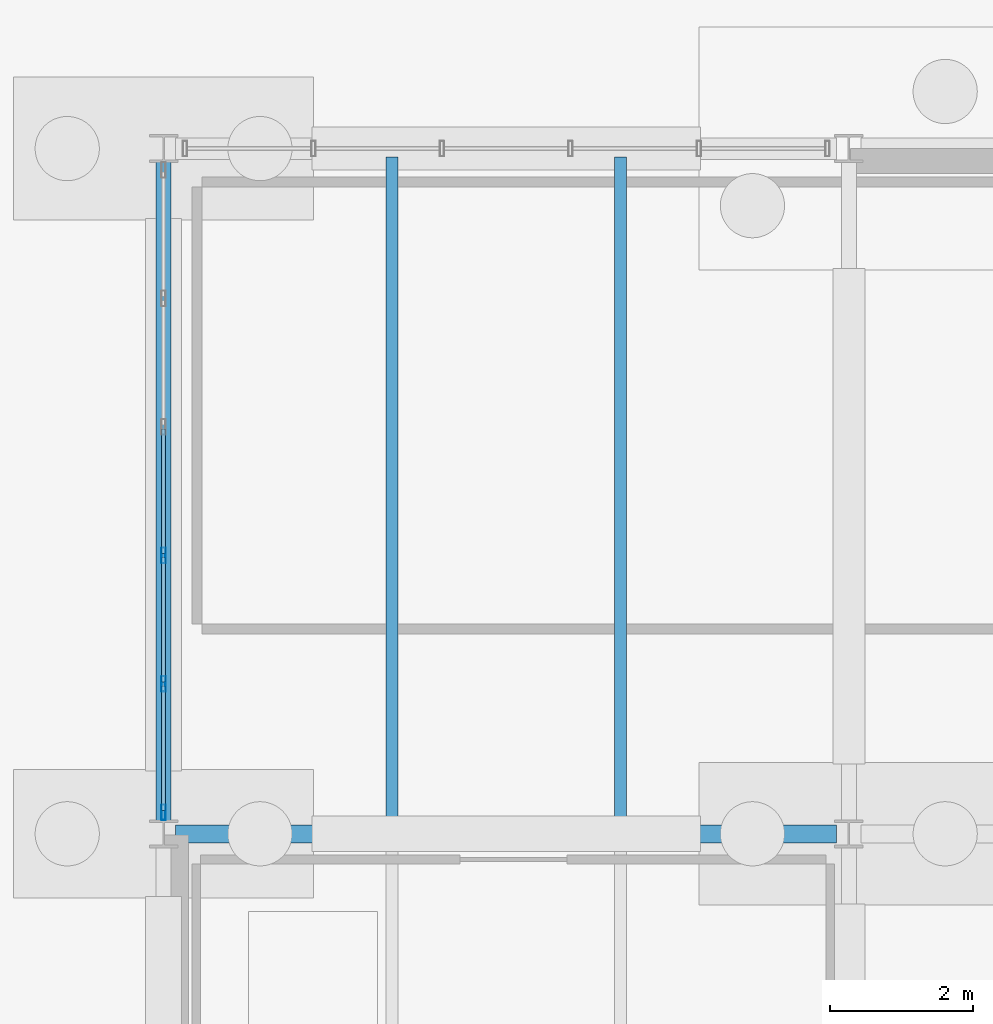
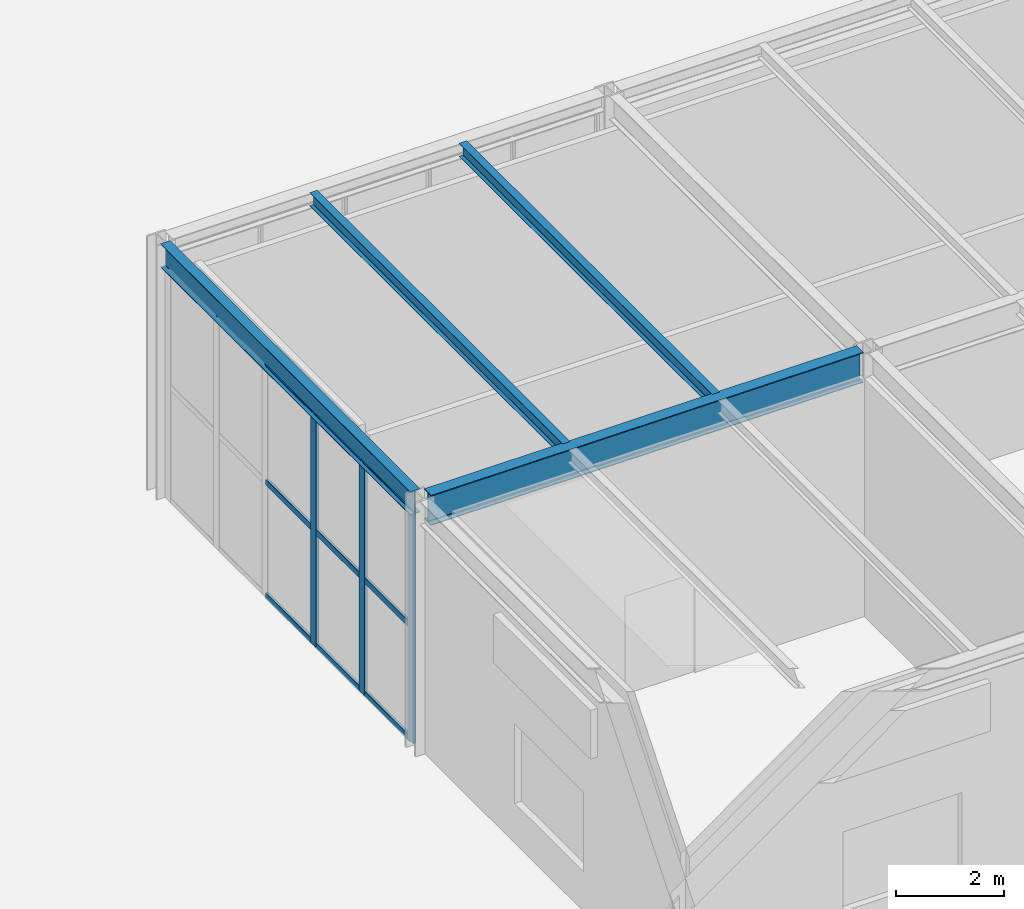
# One storey, part 80 of 142: 12 members, 4 beams, 1 element without a shape of its own.
"""IFC4 building model written with IfcOpenShell, lengths in metres."""

from ifc_helpers import new_model, si_unit, direction, frame, origin, origin_2d, place, context, subcontext, project, spatial, hollow_rectangle, i_section, extrude, material, material_profile, profile_set, type_object, element, aggregate, save


model = new_model("IFC4")

# Units and contexts
model_context = context("Model", 3, precision=1e-05, world=origin(), true_north=direction((0.0, 1.0)))
body_context = subcontext(model_context, "Body", "Model", "MODEL_VIEW")
ifc_project = project(units=[si_unit("LENGTHUNIT", "METRE"), si_unit("AREAUNIT", "SQUARE_METRE"), si_unit("VOLUMEUNIT", "CUBIC_METRE"), si_unit("PLANEANGLEUNIT", "RADIAN"), si_unit("MASSUNIT", "GRAM", prefix="KILO")], contexts=[model_context])

# Site, building, storey
site_placement = place(None, origin())
site = spatial("IfcSite", under=ifc_project, at=site_placement, CompositionType="ELEMENT")
building_placement = place(site_placement, origin())
building = spatial("IfcBuilding", under=site, at=building_placement, Name="Coralgate Yard Interchange", CompositionType="ELEMENT")
storey_placement = place(building_placement, origin())
storey = spatial("IfcBuildingStorey", under=building, at=storey_placement, Name="L00", CompositionType="ELEMENT", Elevation=0.0)

# Beams
ifc_material_1 = material(Name="Structural steel S355J2", Category="steel")
ifc_material_profile_1 = material_profile(ifc_material_1, i_section(OverallWidth=0.209228515625, OverallDepth=0.533203125, WebThickness=0.010009765625, FlangeThickness=0.015625, FilletRadius=0.0126953125, at=origin_2d()), Name="UB 533x210x92")
ifc_profile_set_1 = profile_set([ifc_material_profile_1], Name="Structural steel S355J2")
beam_type_1 = type_object("IfcBeamType", Name="BM-SB-1", PredefinedType="BEAM", material=ifc_profile_set_1)
beam_1_placement = place(storey_placement, frame((134.39990234375, 9.766845703125, 5.4833984375), z_axis=(0.0, 1.0, 0.0), x_axis=(-1.0, 0.0, 0.0)))
element("IfcBeam", 1, at=beam_1_placement, inside=storey, type_object=beam_type_1, Name="L00 primary grid girder X14 Y1-2", PredefinedType="BEAM", context=body_context, shape_type="SweptSolid", body=[
    extrude(i_section(OverallWidth=0.209228515625, OverallDepth=0.533203125, WebThickness=0.010009765625, FlangeThickness=0.015625, FilletRadius=0.0126953125, at=origin_2d()), origin(), (0.0, 0.0, 1.0), 9.266357421875),
])
ifc_material_profile_2 = material_profile(ifc_material_1, i_section(OverallWidth=0.253662109375, OverallDepth=0.68359375, WebThickness=0.012451171875, FlangeThickness=0.01904296875, FilletRadius=0.01513671875, at=origin_2d()), Name="UB 686x254x140")
ifc_profile_set_2 = profile_set([ifc_material_profile_2], Name="Structural steel S355J2")
beam_type_2 = type_object("IfcBeamType", Name="BM-SG-4", PredefinedType="BEAM", material=ifc_profile_set_2)
beam_2_placement = place(storey_placement, frame((134.569580078125, 9.60009765625, 5.408203125), z_axis=(1.0, 0.0, 0.0), x_axis=(0.0, 1.0, 0.0)))
element("IfcBeam", 2, at=beam_2_placement, inside=storey, type_object=beam_type_2, Name="L00 primary grid beam Y1 X14-15", PredefinedType="BEAM", context=body_context, shape_type="SweptSolid", body=[
    extrude(i_section(OverallWidth=0.253662109375, OverallDepth=0.68359375, WebThickness=0.012451171875, FlangeThickness=0.01904296875, FilletRadius=0.01513671875, at=origin_2d()), origin(), (0.0, 0.0, 1.0), 9.260986328125),
])
ifc_material_profile_3 = material_profile(ifc_material_1, i_section(OverallWidth=0.1650390625, OverallDepth=0.303466796875, WebThickness=0.006103515625, FlangeThickness=0.01025390625, FilletRadius=0.0087890625, at=origin_2d()), Name="UB 305x165x40")
ifc_profile_set_3 = profile_set([ifc_material_profile_3], Name="Structural steel S355J2")
beam_type_3 = type_object("IfcBeamType", Name="BM-SJ-1", PredefinedType="JOIST", material=ifc_profile_set_3)
for number, where, z_axis, x_axis, name in (
    (3, (137.60009765625, 9.69677734375, 5.598388671875), (0.0, 1.0, 0.0), (-1.0, 0.0, 0.0), "L00 composite floor joist 14-1-1"),
    (4, (140.800048828125, 9.69677734375, 5.598388671875), (0.0, 1.0, 0.0), (-1.0, 0.0, 0.0), "L00 composite floor joist 14-1-2"),
):
    element("IfcBeam", number, at=place(storey_placement, frame(where, z_axis=z_axis, x_axis=x_axis)), inside=storey, type_object=beam_type_3, Name=name, PredefinedType="JOIST", context=body_context, shape_type="SweptSolid", body=[
        extrude(i_section(OverallWidth=0.1650390625, OverallDepth=0.303466796875, WebThickness=0.006103515625, FlangeThickness=0.01025390625, FilletRadius=0.0087890625, at=origin_2d()), origin(), (0.0, 0.0, 1.0), 9.38330078125),
    ])

# Curtain wall, members
ifc_material_2 = material(Name="Anodised coastal aluminium and solar-control low-E glass", Category="aluminium")
curtain_wall_type = type_object("IfcCurtainWallType", Name="CW-CW-L00-A", PredefinedType="NOTDEFINED", material=ifc_material_2)
curtain_wall_placement = place(storey_placement, origin())
curtain_wall = element("IfcCurtainWall", 5, at=curtain_wall_placement, inside=storey, type_object=curtain_wall_type, Name="L00 unitised curtain wall CW-L00-W-14-01", PredefinedType="NOTDEFINED")
ifc_material_3 = material(Name="Anodised coastal aluminium 6063-T6", Category="aluminium")
ifc_material_profile_4 = material_profile(ifc_material_3, hollow_rectangle(XDim=0.06005859375, YDim=0.219970703125, WallThickness=0.00390625, InnerFilletRadius=0.00390625, OuterFilletRadius=0.008056640625, at=origin_2d()), Name="ALU 60x220x4")
ifc_profile_set_4 = profile_set([ifc_material_profile_4], Name="Anodised coastal aluminium 6063-T6")
member_type_1 = type_object("IfcMemberType", Name="MB-MUL-220", PredefinedType="MULLION", material=ifc_profile_set_4)
member_1_placement = place(storey_placement, frame((134.39990234375, 9.89990234375, 0.0), z_axis=(0.0, 0.0, 1.0), x_axis=(1.0, 0.0, 0.0)))
member_1 = element("IfcMember", 6, at=member_1_placement, type_object=member_type_1, Name="CW-L00-W-14-01 vertical mullion 1", PredefinedType="MULLION", context=body_context, shape_type="SweptSolid", body=[
    extrude(hollow_rectangle(XDim=0.06005859375, YDim=0.219970703125, WallThickness=0.00390625, InnerFilletRadius=0.00390625, OuterFilletRadius=0.008056640625, at=origin_2d()), origin(), (0.0, 0.0, 1.0), 5.216796875),
])
member_2_placement = place(storey_placement, frame((134.39990234375, 11.699951171875, 0.0), z_axis=(0.0, 0.0, 1.0), x_axis=(1.0, 0.0, 0.0)))
member_2 = element("IfcMember", 7, at=member_2_placement, type_object=member_type_1, Name="CW-L00-W-14-01 vertical mullion 2", PredefinedType="MULLION", context=body_context, shape_type="SweptSolid", body=[
    extrude(hollow_rectangle(XDim=0.06005859375, YDim=0.219970703125, WallThickness=0.00390625, InnerFilletRadius=0.00390625, OuterFilletRadius=0.008056640625, at=origin_2d()), origin(), (0.0, 0.0, 1.0), 5.216796875),
])
member_3_placement = place(storey_placement, frame((134.39990234375, 13.5, 0.0), z_axis=(0.0, 0.0, 1.0), x_axis=(1.0, 0.0, 0.0)))
member_3 = element("IfcMember", 8, at=member_3_placement, type_object=member_type_1, Name="CW-L00-W-14-01 vertical mullion 3", PredefinedType="MULLION", context=body_context, shape_type="SweptSolid", body=[
    extrude(hollow_rectangle(XDim=0.06005859375, YDim=0.219970703125, WallThickness=0.00390625, InnerFilletRadius=0.00390625, OuterFilletRadius=0.008056640625, at=origin_2d()), origin(), (0.0, 0.0, 1.0), 5.216796875),
])
ifc_material_profile_5 = material_profile(ifc_material_3, hollow_rectangle(XDim=0.06005859375, YDim=0.139892578125, WallThickness=0.00341796875, InnerFilletRadius=0.00341796875, OuterFilletRadius=0.007080078125, at=origin_2d()), Name="ALU 60x140x3.5")
ifc_profile_set_5 = profile_set([ifc_material_profile_5], Name="Anodised coastal aluminium 6063-T6")
member_type_2 = type_object("IfcMemberType", Name="MB-TRN-140", PredefinedType="USERDEFINED", material=ifc_profile_set_5)
member_4_placement = place(storey_placement, frame((134.39990234375, 9.929931640625, 0.034912109375), z_axis=(0.0, 1.0, 0.0), x_axis=(-1.0, 0.0, 0.0)))
member_4 = element("IfcMember", 9, at=member_4_placement, type_object=member_type_2, Name="CW-L00-W-14-01 horizontal transom 1-1", ObjectType="TRANSOM", PredefinedType="USERDEFINED", context=body_context, shape_type="SweptSolid", body=[
    extrude(hollow_rectangle(XDim=0.06005859375, YDim=0.139892578125, WallThickness=0.00341796875, InnerFilletRadius=0.00341796875, OuterFilletRadius=0.007080078125, at=origin_2d()), origin(), (0.0, 0.0, 1.0), 1.739990234375),
])
member_5_placement = place(storey_placement, frame((134.39990234375, 9.929931640625, 2.6083984375), z_axis=(0.0, 1.0, 0.0), x_axis=(-1.0, 0.0, 0.0)))
member_5 = element("IfcMember", 10, at=member_5_placement, type_object=member_type_2, Name="CW-L00-W-14-01 horizontal transom 1-2", ObjectType="TRANSOM", PredefinedType="USERDEFINED", context=body_context, shape_type="SweptSolid", body=[
    extrude(hollow_rectangle(XDim=0.06005859375, YDim=0.139892578125, WallThickness=0.00341796875, InnerFilletRadius=0.00341796875, OuterFilletRadius=0.007080078125, at=origin_2d()), origin(), (0.0, 0.0, 1.0), 1.739990234375),
])
member_6_placement = place(storey_placement, frame((134.39990234375, 9.929931640625, 5.181884765625), z_axis=(0.0, 1.0, 0.0), x_axis=(-1.0, 0.0, 0.0)))
member_6 = element("IfcMember", 11, at=member_6_placement, type_object=member_type_2, Name="CW-L00-W-14-01 horizontal transom 1-3", ObjectType="TRANSOM", PredefinedType="USERDEFINED", context=body_context, shape_type="SweptSolid", body=[
    extrude(hollow_rectangle(XDim=0.06005859375, YDim=0.139892578125, WallThickness=0.00341796875, InnerFilletRadius=0.00341796875, OuterFilletRadius=0.007080078125, at=origin_2d()), origin(), (0.0, 0.0, 1.0), 1.739990234375),
])
member_7_placement = place(storey_placement, frame((134.39990234375, 11.72998046875, 0.034912109375), z_axis=(0.0, 1.0, 0.0), x_axis=(-1.0, 0.0, 0.0)))
member_7 = element("IfcMember", 12, at=member_7_placement, type_object=member_type_2, Name="CW-L00-W-14-01 horizontal transom 2-1", ObjectType="TRANSOM", PredefinedType="USERDEFINED", context=body_context, shape_type="SweptSolid", body=[
    extrude(hollow_rectangle(XDim=0.06005859375, YDim=0.139892578125, WallThickness=0.00341796875, InnerFilletRadius=0.00341796875, OuterFilletRadius=0.007080078125, at=origin_2d()), origin(), (0.0, 0.0, 1.0), 1.739990234375),
])
member_8_placement = place(storey_placement, frame((134.39990234375, 11.72998046875, 2.6083984375), z_axis=(0.0, 1.0, 0.0), x_axis=(-1.0, 0.0, 0.0)))
member_8 = element("IfcMember", 13, at=member_8_placement, type_object=member_type_2, Name="CW-L00-W-14-01 horizontal transom 2-2", ObjectType="TRANSOM", PredefinedType="USERDEFINED", context=body_context, shape_type="SweptSolid", body=[
    extrude(hollow_rectangle(XDim=0.06005859375, YDim=0.139892578125, WallThickness=0.00341796875, InnerFilletRadius=0.00341796875, OuterFilletRadius=0.007080078125, at=origin_2d()), origin(), (0.0, 0.0, 1.0), 1.739990234375),
])
member_9_placement = place(storey_placement, frame((134.39990234375, 11.72998046875, 5.181884765625), z_axis=(0.0, 1.0, 0.0), x_axis=(-1.0, 0.0, 0.0)))
member_9 = element("IfcMember", 14, at=member_9_placement, type_object=member_type_2, Name="CW-L00-W-14-01 horizontal transom 2-3", ObjectType="TRANSOM", PredefinedType="USERDEFINED", context=body_context, shape_type="SweptSolid", body=[
    extrude(hollow_rectangle(XDim=0.06005859375, YDim=0.139892578125, WallThickness=0.00341796875, InnerFilletRadius=0.00341796875, OuterFilletRadius=0.007080078125, at=origin_2d()), origin(), (0.0, 0.0, 1.0), 1.739990234375),
])
member_10_placement = place(storey_placement, frame((134.39990234375, 13.530029296875, 0.034912109375), z_axis=(0.0, 1.0, 0.0), x_axis=(-1.0, 0.0, 0.0)))
member_10 = element("IfcMember", 15, at=member_10_placement, type_object=member_type_2, Name="CW-L00-W-14-01 horizontal transom 3-1", ObjectType="TRANSOM", PredefinedType="USERDEFINED", context=body_context, shape_type="SweptSolid", body=[
    extrude(hollow_rectangle(XDim=0.06005859375, YDim=0.139892578125, WallThickness=0.00341796875, InnerFilletRadius=0.00341796875, OuterFilletRadius=0.007080078125, at=origin_2d()), origin(), (0.0, 0.0, 1.0), 1.739990234375),
])
member_11_placement = place(storey_placement, frame((134.39990234375, 13.530029296875, 2.6083984375), z_axis=(0.0, 1.0, 0.0), x_axis=(-1.0, 0.0, 0.0)))
member_11 = element("IfcMember", 16, at=member_11_placement, type_object=member_type_2, Name="CW-L00-W-14-01 horizontal transom 3-2", ObjectType="TRANSOM", PredefinedType="USERDEFINED", context=body_context, shape_type="SweptSolid", body=[
    extrude(hollow_rectangle(XDim=0.06005859375, YDim=0.139892578125, WallThickness=0.00341796875, InnerFilletRadius=0.00341796875, OuterFilletRadius=0.007080078125, at=origin_2d()), origin(), (0.0, 0.0, 1.0), 1.739990234375),
])
member_12_placement = place(storey_placement, frame((134.39990234375, 13.530029296875, 5.181884765625), z_axis=(0.0, 1.0, 0.0), x_axis=(-1.0, 0.0, 0.0)))
member_12 = element("IfcMember", 17, at=member_12_placement, type_object=member_type_2, Name="CW-L00-W-14-01 horizontal transom 3-3", ObjectType="TRANSOM", PredefinedType="USERDEFINED", context=body_context, shape_type="SweptSolid", body=[
    extrude(hollow_rectangle(XDim=0.06005859375, YDim=0.139892578125, WallThickness=0.00341796875, InnerFilletRadius=0.00341796875, OuterFilletRadius=0.007080078125, at=origin_2d()), origin(), (0.0, 0.0, 1.0), 1.739990234375),
])
aggregate(curtain_wall, [member_1, member_2, member_3, member_4, member_5, member_6, member_7, member_8, member_9, member_10, member_11, member_12])

save(model, "model.ifc")
